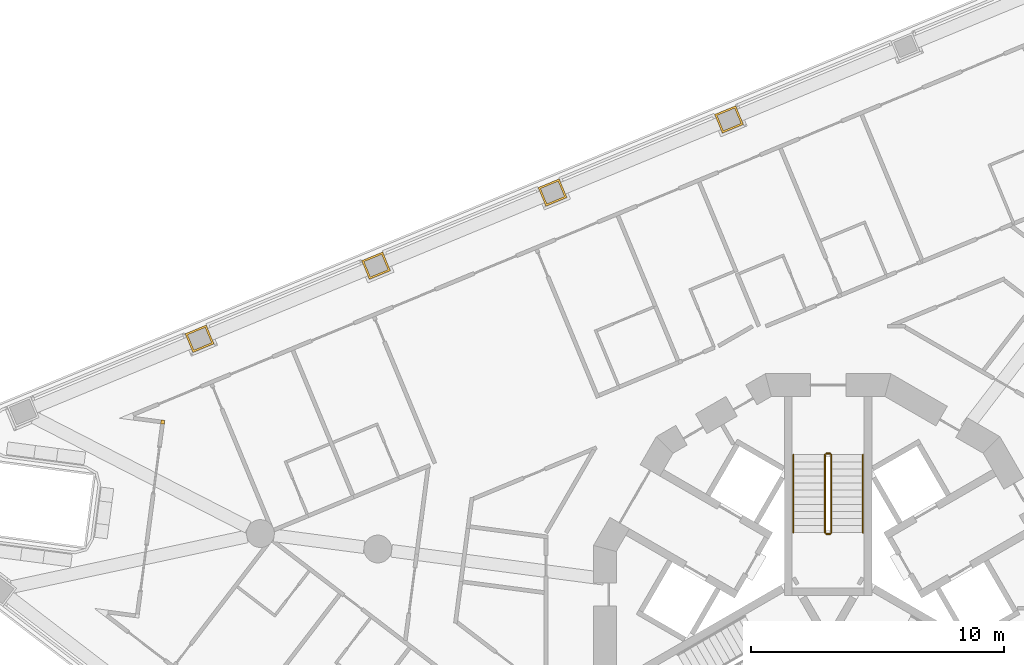
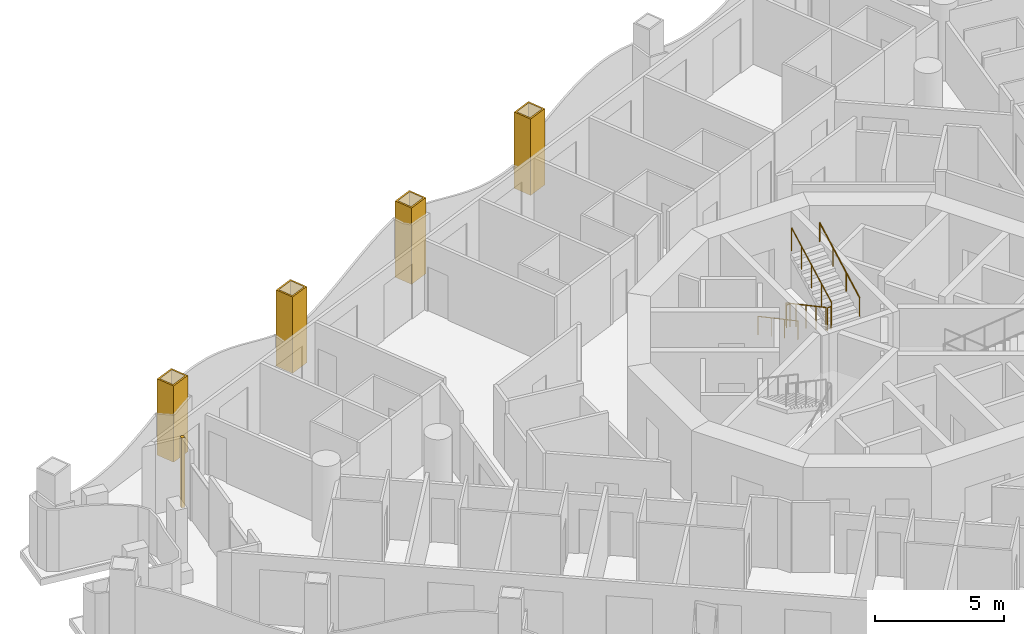
# One storey, part 15 of 17: 6 railings, 5 coverings.
"""IFC4 building model written with IfcOpenShell, lengths in metres."""

import ifcopenshell
import ifcopenshell.guid

model = None  # the IFC model being written
_history = None  # IfcOwnerHistory: only IFC2X3 demands one
_inside = {}  # id of a spatial element -> (the spatial element, [elements in it])
_under = {}  # id of a project, library or spatial element -> (it, [spatial elements below it])
_declared = {}  # id of a project -> (the project, [libraries it declares])
_typed = {}  # id of a type object -> (the type object, [elements of that type])
_made_of = {}  # id of a material, layer set ... -> (it, [elements and type objects made of it])


def new_model(schema):
    """Start an empty IFC model of exactly this schema.

    Asked for "IFC4X3", IfcOpenShell would pick the latest addendum, in which some entities
    have other attributes; the version numbers below select the first issue.
    IFC2X3 requires an IfcOwnerHistory on every rooted entity: one is made here for all.
    """
    global model, _history
    if schema == "IFC4X3":
        model = ifcopenshell.file(schema_version=(4, 3, 0, 0))
    else:
        model = ifcopenshell.file(schema=schema)
    _inside.clear()
    _under.clear()
    _declared.clear()
    _typed.clear()
    _made_of.clear()
    _history = None
    if model.schema == "IFC2X3":
        org = make("IfcOrganization", Name="unknown")
        user = make(
            "IfcPersonAndOrganization",
            ThePerson=make("IfcPerson", FamilyName="unknown"),
            TheOrganization=org,
        )
        app = make(
            "IfcApplication",
            ApplicationDeveloper=org,
            Version="unknown",
            ApplicationFullName="unknown",
            ApplicationIdentifier="unknown",
        )
        _history = make(
            "IfcOwnerHistory",
            OwningUser=user,
            OwningApplication=app,
            ChangeAction="ADDED",
            CreationDate=0,
        )
    return model


def make(cls, **values):
    """One entity of the class cls with the attributes given. An attribute that is None is left unset."""
    return model.create_entity(
        cls, **{name: value for name, value in values.items() if value is not None}
    )


def rooted(cls, **values):
    """An entity with a GlobalId (a new one), such as an element, a storey or a relation."""
    return make(cls, GlobalId=ifcopenshell.guid.new(), OwnerHistory=_history, **values)


def si_unit(unit_type, name, prefix=None):
    """IfcSIUnit, for example si_unit("LENGTHUNIT", "METRE", prefix="MILLI")."""
    return make("IfcSIUnit", UnitType=unit_type, Prefix=prefix, Name=name)


def assignment(units):
    """IfcUnitAssignment: the units of a project."""
    return None if units is None else make("IfcUnitAssignment", Units=units)


def point(xyz):
    """IfcCartesianPoint."""
    return None if xyz is None else make("IfcCartesianPoint", Coordinates=xyz)


def direction(xyz):
    """IfcDirection."""
    return None if xyz is None else make("IfcDirection", DirectionRatios=xyz)


def frame(location, z_axis=None, x_axis=None):
    """IfcAxis2Placement3D, a coordinate frame: its origin and axes. An axis left out is left unset."""
    return make(
        "IfcAxis2Placement3D",
        Location=point(location),
        Axis=direction(z_axis),
        RefDirection=direction(x_axis),
    )


def frame_2d(location, x_axis=None):
    """IfcAxis2Placement2D, a coordinate frame in the plane: its origin and x axis."""
    return make(
        "IfcAxis2Placement2D", Location=point(location), RefDirection=direction(x_axis)
    )


def origin():
    """The frame at (0, 0, 0) with its axes left unset."""
    return frame((0.0, 0.0, 0.0))


def origin_2d():
    """The frame at (0, 0) in the plane with its x axis left unset."""
    return frame_2d((0.0, 0.0))


def place(relative_to, where):
    """IfcLocalPlacement: puts the frame where relative to a parent placement (None: the world)."""
    return make(
        "IfcLocalPlacement", PlacementRelTo=relative_to, RelativePlacement=where
    )


def context(
    kind, dimensions, precision=None, world=None, true_north=None, identifier=None
):
    """IfcGeometricRepresentationContext, for example the 3D "Model" context."""
    return make(
        "IfcGeometricRepresentationContext",
        ContextIdentifier=identifier,
        ContextType=kind,
        CoordinateSpaceDimension=dimensions,
        Precision=precision,
        WorldCoordinateSystem=world,
        TrueNorth=true_north,
    )


def subcontext(parent, identifier, kind, view, scale=None):
    """IfcGeometricRepresentationSubContext, for example "Body" below "Model"."""
    return make(
        "IfcGeometricRepresentationSubContext",
        ContextIdentifier=identifier,
        ContextType=kind,
        ParentContext=parent,
        TargetScale=scale,
        TargetView=view,
    )


def project(units=None, contexts=None):
    """IfcProject with its units and contexts."""
    return rooted(
        "IfcProject",
        Name="project",
        RepresentationContexts=contexts,
        UnitsInContext=assignment(units),
    )


def spatial(cls, under=None, at=None, **own):
    """A site, building, storey or space (cls), placed at a placement, below another one or the project."""
    s = rooted(cls, ObjectPlacement=at, **own)
    if under is not None:
        _under.setdefault(under.id(), (under, []))[1].append(s)
    return s


def polyline(points):
    """IfcPolyline through the points."""
    return make("IfcPolyline", Points=[point(p) for p in points])


def profile(cls, at=None, kind="AREA", **sizes):
    """A parametric profile (cls). Its sizes go by their IFC names, for example OverallWidth=200.0."""
    return make(cls, ProfileType=kind, Position=at, **sizes)


def circle(**sizes):
    """IfcCircleProfileDef."""
    return profile("IfcCircleProfileDef", **sizes)


def outline(outer, holes=None, kind="AREA"):
    """IfcArbitraryClosedProfileDef: a profile drawn as a closed curve; with holes, ...WithVoids."""
    if holes is None:
        return make("IfcArbitraryClosedProfileDef", ProfileType=kind, OuterCurve=outer)
    return make(
        "IfcArbitraryProfileDefWithVoids",
        ProfileType=kind,
        OuterCurve=outer,
        InnerCurves=holes,
    )


def extrude(swept, where, along, depth):
    """IfcExtrudedAreaSolid: the profile swept, set in the frame where, extruded along a direction by depth."""
    return make(
        "IfcExtrudedAreaSolid",
        SweptArea=swept,
        Position=where,
        ExtrudedDirection=direction(along),
        Depth=depth,
    )


def shape(context_of_items, identifier, shape_type, items):
    """IfcShapeRepresentation: the items that make up one representation, for example the "Body"."""
    return make(
        "IfcShapeRepresentation",
        ContextOfItems=context_of_items,
        RepresentationIdentifier=identifier,
        RepresentationType=shape_type,
        Items=items,
    )


def material(Name=None, Category=None):
    """IfcMaterial."""
    return make("IfcMaterial", Name=Name, Category=Category)


def layer(
    of_material, thickness, ventilated=None, Name=None, Category=None, Priority=None
):
    """IfcMaterialLayer: one layer of a wall or slab, of a material (None: an air gap)."""
    return make(
        "IfcMaterialLayer",
        Material=of_material,
        LayerThickness=thickness,
        IsVentilated=ventilated,
        Name=Name,
        Category=Category,
        Priority=Priority,
    )


def layer_set(layers, Name=None):
    """IfcMaterialLayerSet."""
    return make("IfcMaterialLayerSet", MaterialLayers=layers, LayerSetName=Name)


def made_of(thing, what):
    """Note that an element or type object is made of a material, layer set ...; save() writes the relation."""
    if what is not None:
        _made_of.setdefault(what.id(), (what, []))[1].append(thing)
    return thing


def type_object(cls, material=None, **own):
    """A type object (cls), such as IfcWallType, which elements share."""
    return made_of(rooted(cls, **own), material)


def element(
    cls,
    number,
    at=None,
    inside=None,
    cuts=None,
    type_object=None,
    material=None,
    context=None,
    identifier="Body",
    shape_type=None,
    held_by="IfcProductDefinitionShape",
    body=None,
    shapes=None,
    **own,
):
    """One element of the class cls, such as IfcWall. Its Tag is "e" and its number.

    at: its placement. inside: the storey or other place that contains it. cuts: it is an
    opening in that element (IfcRelVoidsElement). A single representation is given by context,
    identifier, shape_type and body (its items); several are given by shapes. held_by: the class
    of the entity that holds the representations. save() writes the other relations.
    """
    e = rooted(cls, Tag="e%d" % number, ObjectPlacement=at, **own)
    if body is not None:
        shapes = [shape(context, identifier, shape_type, body)]
    if shapes is not None:
        e.Representation = make(held_by, Representations=shapes)
    if inside is not None:
        _inside.setdefault(inside.id(), (inside, []))[1].append(e)
    if cuts is not None:
        rooted(
            "IfcRelVoidsElement", RelatingBuildingElement=cuts, RelatedOpeningElement=e
        )
    if type_object is not None:
        _typed.setdefault(type_object.id(), (type_object, []))[1].append(e)
    return made_of(e, material)


def aggregate(whole, parts):
    """IfcRelAggregates: a whole, such as a stair, and the parts it consists of."""
    return rooted("IfcRelAggregates", RelatingObject=whole, RelatedObjects=parts)


def save(model, path):
    """Write the relations noted so far, then the file.

    IfcRelAggregates (storeys below a building ...), IfcRelContainedInSpatialStructure (elements
    in a storey), IfcRelDefinesByType, IfcRelAssociatesMaterial and IfcRelDeclares: one each for
    every whole, place, type object, material and project.
    """
    for whole, parts in _under.values():
        aggregate(whole, parts)
    for where, things in _inside.values():
        rooted(
            "IfcRelContainedInSpatialStructure",
            RelatedElements=things,
            RelatingStructure=where,
        )
    for kind, things in _typed.values():
        rooted("IfcRelDefinesByType", RelatedObjects=things, RelatingType=kind)
    for what, things in _made_of.values():
        rooted("IfcRelAssociatesMaterial", RelatedObjects=things, RelatingMaterial=what)
    for by, libraries in _declared.values():
        rooted("IfcRelDeclares", RelatingContext=by, RelatedDefinitions=libraries)
    model.write(path)


model = new_model("IFC4")

# Units and contexts
model_context = context("Model", 3, precision=1e-05, world=origin(), true_north=direction((0.0, 1.0)))
body_context = subcontext(model_context, "Body", "Model", "MODEL_VIEW")
ifc_project = project(units=[si_unit("LENGTHUNIT", "METRE"), si_unit("AREAUNIT", "SQUARE_METRE"), si_unit("VOLUMEUNIT", "CUBIC_METRE"), si_unit("PLANEANGLEUNIT", "RADIAN"), si_unit("MASSUNIT", "GRAM", prefix="KILO")], contexts=[model_context])

# Site, building, storey
site_placement = place(None, origin())
site = spatial("IfcSite", under=ifc_project, at=site_placement, CompositionType="ELEMENT")
building_placement = place(site_placement, origin())
building = spatial("IfcBuilding", under=site, at=building_placement, Name="Trine Commons Tower", CompositionType="ELEMENT")
storey_placement = place(building_placement, frame((0.0, 0.0, 138.60009765625)))
storey = spatial("IfcBuildingStorey", under=building, at=storey_placement, Name="L35", CompositionType="ELEMENT", Elevation=138.60009765625)

# Coverings
ifc_material_1 = material(Name="Aluminium-framed insulated wall panel", Category="aluminium")
ifc_layer_1 = layer(ifc_material_1, 0.14990234375)
ifc_layer_set_1 = layer_set([ifc_layer_1], Name="Aluminium-framed insulated wall panel")
covering_type_1 = type_object("IfcCoveringType", Name="Glazing corner post, aluminium", PredefinedType="CLADDING", material=ifc_layer_set_1)
covering_1_placement = place(storey_placement, origin())
element("IfcCovering", 1, at=covering_1_placement, inside=storey, type_object=covering_type_1, Name="Glazing corner post 4-03", PredefinedType="CLADDING", context=body_context, shape_type="SweptSolid", body=[
    extrude(outline(polyline([(53.610107421875, 69.797119140625), (53.7587890625, 69.77734375), (53.778564453125, 69.926025390625), (53.6298828125, 69.94580078125), (53.610107421875, 69.797119140625)])), origin(), (0.0, 0.0, 1.0), 3.2998046875),
])
ifc_material_2 = material(Name="Limestone, honed", Category="masonry")
ifc_layer_2 = layer(ifc_material_2, 0.074951171875)
ifc_layer_set_2 = layer_set([ifc_layer_2], Name="Limestone, honed")
covering_type_2 = type_object("IfcCoveringType", Name="Limestone column cladding 75", PredefinedType="CLADDING", material=ifc_layer_set_2)
covering_2_placement = place(storey_placement, origin())
element("IfcCovering", 2, at=covering_2_placement, inside=storey, type_object=covering_type_2, Name="Limestone pier cladding 4-10", PredefinedType="CLADDING", context=body_context, shape_type="SweptSolid", body=[
    extrude(outline(polyline([(55.719970703125, 72.957763671875), (55.413818359375, 73.69677734375), (54.582275390625, 73.352294921875), (54.888427734375, 72.61328125), (55.719970703125, 72.957763671875)]), holes=[polyline([(55.621826171875, 72.998291015625), (55.373291015625, 73.598876953125), (54.680419921875, 73.311767578125), (54.928955078125, 72.711181640625), (55.621826171875, 72.998291015625)])]), origin(), (0.0, 0.0, 1.0), 3.599853515625),
])
covering_3_placement = place(storey_placement, origin())
element("IfcCovering", 3, at=covering_3_placement, inside=storey, type_object=covering_type_2, Name="Limestone pier cladding 4-11", PredefinedType="CLADDING", context=body_context, shape_type="SweptSolid", body=[
    extrude(outline(polyline([(62.697021484375, 75.84765625), (62.390869140625, 76.5869140625), (61.559326171875, 76.2421875), (61.865478515625, 75.503173828125), (62.697021484375, 75.84765625)]), holes=[polyline([(62.59912109375, 75.88818359375), (62.350341796875, 76.48876953125), (61.657470703125, 76.201904296875), (61.906005859375, 75.601318359375), (62.59912109375, 75.88818359375)])]), origin(), (0.0, 0.0, 1.0), 3.599853515625),
])
covering_4_placement = place(storey_placement, origin())
element("IfcCovering", 4, at=covering_4_placement, inside=storey, type_object=covering_type_2, Name="Limestone pier cladding 4-12", PredefinedType="CLADDING", context=body_context, shape_type="SweptSolid", body=[
    extrude(outline(polyline([(69.674072265625, 78.73779296875), (69.367919921875, 79.476806640625), (68.53662109375, 79.13232421875), (68.842529296875, 78.393310546875), (69.674072265625, 78.73779296875)]), holes=[polyline([(69.576171875, 78.7783203125), (69.327392578125, 79.37890625), (68.634521484375, 79.091796875), (68.88330078125, 78.4912109375), (69.576171875, 78.7783203125)])]), origin(), (0.0, 0.0, 1.0), 3.599853515625),
])
covering_5_placement = place(storey_placement, origin())
element("IfcCovering", 5, at=covering_5_placement, inside=storey, type_object=covering_type_2, Name="Limestone pier cladding 4-13", PredefinedType="CLADDING", context=body_context, shape_type="SweptSolid", body=[
    extrude(outline(polyline([(76.651123046875, 81.627685546875), (76.34521484375, 82.366943359375), (75.513671875, 82.0224609375), (75.819580078125, 81.283203125), (76.651123046875, 81.627685546875)]), holes=[polyline([(76.55322265625, 81.668212890625), (76.304443359375, 82.268798828125), (75.611572265625, 81.98193359375), (75.8603515625, 81.38134765625), (76.55322265625, 81.668212890625)])]), origin(), (0.0, 0.0, 1.0), 3.599853515625),
])

# Railings
ifc_material_3 = material(Name="Stainless steel balustrade", Category="steel")
railing_type_1 = type_object("IfcRailingType", Name="Stair guard, steel balustrade 1100", PredefinedType="GUARDRAIL", material=ifc_material_3)
railing_1_placement = place(storey_placement, frame((79.875, 68.570556640625, 0.14990234375)))
element("IfcRailing", 6, at=railing_1_placement, inside=storey, type_object=railing_type_1, Name="L35 ST1B stair guard 1", PredefinedType="GUARDRAIL", context=body_context, shape_type="SweptSolid", body=[
    extrude(circle(Radius=0.02392578125, at=origin_2d()), frame((0.0, 0.0, 1.076171875), z_axis=(0.0, -0.881496589024, 0.472190389079), x_axis=(1.0, 0.0, 0.0)), (0.0, 0.0, 1.0), 3.494140625),
    extrude(circle(Radius=0.02099609375, at=origin_2d()), origin(), (0.0, 0.0, 1.0), 1.052001953125),
    extrude(circle(Radius=0.02099609375, at=origin_2d()), frame((0.0, -0.77001953125, 0.41259765625)), (0.0, 0.0, 1.0), 1.052001953125),
    extrude(circle(Radius=0.02099609375, at=origin_2d()), frame((0.0, -1.5400390625, 0.824951171875)), (0.0, 0.0, 1.0), 1.052001953125),
    extrude(circle(Radius=0.02099609375, at=origin_2d()), frame((0.0, -2.31005859375, 1.2373046875)), (0.0, 0.0, 1.0), 1.052001953125),
    extrude(circle(Radius=0.02099609375, at=origin_2d()), frame((0.0, -3.080078125, 1.64990234375)), (0.0, 0.0, 1.0), 1.052001953125),
])
railing_2_placement = place(storey_placement, frame((79.925048828125, 65.440673828125, 1.7998046875)))
element("IfcRailing", 7, at=railing_2_placement, inside=storey, type_object=railing_type_1, Name="L35 ST1B stair guard 2", PredefinedType="GUARDRAIL", context=body_context, shape_type="SweptSolid", body=[
    extrude(circle(Radius=0.02392578125, at=origin_2d()), frame((0.0, 0.0, 1.076171875), z_axis=(1.0, 0.0, 0.0), x_axis=(0.0, 1.0, 0.0)), (0.0, 0.0, 1.0), 0.14990234375),
    extrude(circle(Radius=0.02099609375, at=origin_2d()), origin(), (0.0, 0.0, 1.0), 1.052001953125),
    extrude(circle(Radius=0.02099609375, at=origin_2d()), frame((0.14990234375, 0.0, 0.0)), (0.0, 0.0, 1.0), 1.052001953125),
])
railing_3_placement = place(storey_placement, frame((80.125, 65.490478515625, 1.949951171875)))
element("IfcRailing", 8, at=railing_3_placement, inside=storey, type_object=railing_type_1, Name="L35 ST1B stair guard 3", PredefinedType="GUARDRAIL", context=body_context, shape_type="SweptSolid", body=[
    extrude(circle(Radius=0.02392578125, at=origin_2d()), frame((0.0, 0.0, 1.076171875), z_axis=(0.0, 0.881496589024, 0.472190389079), x_axis=(-1.0, 0.0, 0.0)), (0.0, 0.0, 1.0), 3.494140625),
    extrude(circle(Radius=0.02099609375, at=origin_2d()), origin(), (0.0, 0.0, 1.0), 1.052001953125),
    extrude(circle(Radius=0.02099609375, at=origin_2d()), frame((0.0, 0.77001953125, 0.41259765625)), (0.0, 0.0, 1.0), 1.052001953125),
    extrude(circle(Radius=0.02099609375, at=origin_2d()), frame((0.0, 1.5400390625, 0.824951171875)), (0.0, 0.0, 1.0), 1.052001953125),
    extrude(circle(Radius=0.02099609375, at=origin_2d()), frame((0.0, 2.31005859375, 1.2373046875)), (0.0, 0.0, 1.0), 1.052001953125),
    extrude(circle(Radius=0.02099609375, at=origin_2d()), frame((0.0, 3.080078125, 1.64990234375)), (0.0, 0.0, 1.0), 1.052001953125),
])
railing_4_placement = place(storey_placement, frame((79.925048828125, 68.62060546875, 0.0)))
element("IfcRailing", 9, at=railing_4_placement, inside=storey, type_object=railing_type_1, Name="L35 ST1B stair guard 4", PredefinedType="GUARDRAIL", context=body_context, shape_type="SweptSolid", body=[
    extrude(circle(Radius=0.02392578125, at=origin_2d()), frame((0.0, 0.0, 1.076171875), z_axis=(1.0, 0.0, 0.0), x_axis=(0.0, 1.0, 0.0)), (0.0, 0.0, 1.0), 0.14990234375),
    extrude(circle(Radius=0.02099609375, at=origin_2d()), origin(), (0.0, 0.0, 1.0), 1.052001953125),
    extrude(circle(Radius=0.02099609375, at=origin_2d()), frame((0.14990234375, 0.0, 0.0)), (0.0, 0.0, 1.0), 1.052001953125),
])
ifc_material_4 = material(Name="Stainless steel handrail", Category="steel")
railing_type_2 = type_object("IfcRailingType", Name="Stair handrail, steel 900", PredefinedType="HANDRAIL", material=ifc_material_4)
railing_5_placement = place(storey_placement, frame((78.625, 68.570556640625, 0.14990234375)))
element("IfcRailing", 10, at=railing_5_placement, inside=storey, type_object=railing_type_2, Name="L35 ST1B stair handrail 1", PredefinedType="HANDRAIL", context=body_context, shape_type="SweptSolid", body=[
    extrude(circle(Radius=0.02099609375, at=origin_2d()), frame((0.0, 0.0, 0.87890625), z_axis=(0.0, -0.881496589024, 0.472190389079), x_axis=(1.0, 0.0, 0.0)), (0.0, 0.0, 1.0), 3.494140625),
    extrude(circle(Radius=0.01513671875, at=origin_2d()), origin(), (0.0, 0.0, 1.0), 0.85791015625),
    extrude(circle(Radius=0.01513671875, at=origin_2d()), frame((0.0, -1.026611328125, 0.550048828125)), (0.0, 0.0, 1.0), 0.85791015625),
    extrude(circle(Radius=0.01513671875, at=origin_2d()), frame((0.0, -2.053466796875, 1.099853515625)), (0.0, 0.0, 1.0), 0.85791015625),
    extrude(circle(Radius=0.01513671875, at=origin_2d()), frame((0.0, -3.080078125, 1.64990234375)), (0.0, 0.0, 1.0), 0.85791015625),
])
railing_6_placement = place(storey_placement, frame((81.375, 65.490478515625, 1.949951171875)))
element("IfcRailing", 11, at=railing_6_placement, inside=storey, type_object=railing_type_2, Name="L35 ST1B stair handrail 2", PredefinedType="HANDRAIL", context=body_context, shape_type="SweptSolid", body=[
    extrude(circle(Radius=0.02099609375, at=origin_2d()), frame((0.0, 0.0, 0.87890625), z_axis=(0.0, 0.881496589024, 0.472190389079), x_axis=(-1.0, 0.0, 0.0)), (0.0, 0.0, 1.0), 3.494140625),
    extrude(circle(Radius=0.01513671875, at=origin_2d()), origin(), (0.0, 0.0, 1.0), 0.85791015625),
    extrude(circle(Radius=0.01513671875, at=origin_2d()), frame((0.0, 1.026611328125, 0.550048828125)), (0.0, 0.0, 1.0), 0.85791015625),
    extrude(circle(Radius=0.01513671875, at=origin_2d()), frame((0.0, 2.053466796875, 1.099853515625)), (0.0, 0.0, 1.0), 0.85791015625),
    extrude(circle(Radius=0.01513671875, at=origin_2d()), frame((0.0, 3.080078125, 1.64990234375)), (0.0, 0.0, 1.0), 0.85791015625),
])

save(model, "model.ifc")
